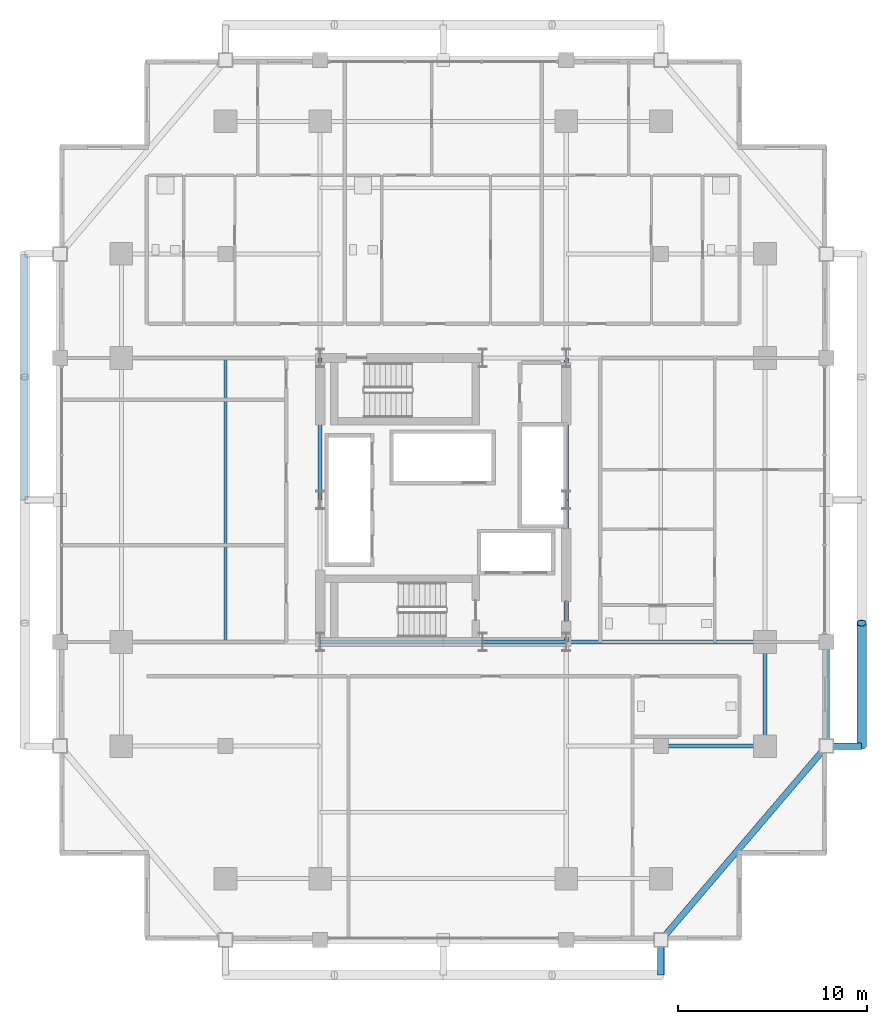
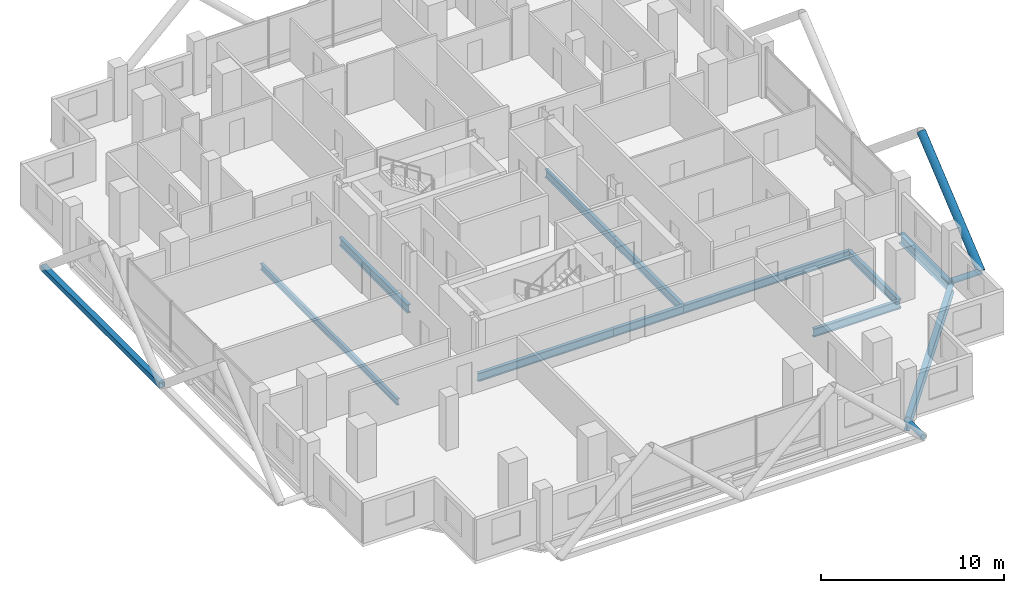
# One storey, part 8 of 24: 11 beams, 4 members.
"""IFC4 building model written with IfcOpenShell, lengths in metres."""

from ifc_helpers import new_model, si_unit, direction, frame, origin, origin_2d, place, context, subcontext, project, spatial, hollow_rectangle, hollow_circle, i_section, extrude, material, material_profile, profile_set, type_object, element, save


model = new_model("IFC4")

# Units and contexts
model_context = context("Model", 3, precision=1e-05, world=origin(), true_north=direction((0.0, 1.0)))
body_context = subcontext(model_context, "Body", "Model", "MODEL_VIEW")
ifc_project = project(units=[si_unit("LENGTHUNIT", "METRE"), si_unit("AREAUNIT", "SQUARE_METRE"), si_unit("VOLUMEUNIT", "CUBIC_METRE"), si_unit("PLANEANGLEUNIT", "RADIAN"), si_unit("MASSUNIT", "GRAM", prefix="KILO")], contexts=[model_context])

# Site, building, storey
site_placement = place(None, origin())
site = spatial("IfcSite", under=ifc_project, at=site_placement, CompositionType="ELEMENT")
building_placement = place(site_placement, origin())
building = spatial("IfcBuilding", under=site, at=building_placement, Name="Barlavira Tower and Art Museum", CompositionType="ELEMENT")
storey_placement = place(building_placement, frame((0.0, 0.0, 109.800048828125)))
storey = spatial("IfcBuildingStorey", under=building, at=storey_placement, Name="L27", CompositionType="ELEMENT", Elevation=109.800048828125)

# Members
ifc_material = material(Name="Steel S355", Category="steel")
ifc_material_profile_1 = material_profile(ifc_material, hollow_circle(Radius=0.25390625, WallThickness=0.022216796875, at=origin_2d()), Name="CHS 508.0x22.2")
ifc_profile_set_1 = profile_set([ifc_material_profile_1], Name="Steel S355")
member_type_1 = type_object("IfcMemberType", Name="Pale-Metal Exoskeleton Diagrid Tube CHS 508x22 Steel S355", PredefinedType="BRACE", material=ifc_profile_set_1)
member_1_placement = place(storey_placement, frame((22.10009765625, -13.0, -0.1201171875), z_axis=(0.0, 0.76918185268, 0.639029950399), x_axis=(-1.0, 0.0, 0.0)))
element("IfcMember", 1, at=member_1_placement, inside=storey, type_object=member_type_1, Name="L27 Exoskeleton Diagrid Tube E", PredefinedType="BRACE", context=body_context, shape_type="SweptSolid", body=[
    extrude(hollow_circle(Radius=0.25390625, WallThickness=0.022216796875, at=origin_2d()), origin(), (0.0, 0.0, 1.0), 8.450439453125),
])
ifc_material_profile_2 = material_profile(ifc_material, hollow_rectangle(XDim=0.35009765625, YDim=0.35009765625, WallThickness=0.02001953125, at=origin_2d()), Name="SHS 350x350x20.0")
ifc_profile_set_2 = profile_set([ifc_material_profile_2], Name="Steel S355")
member_type_2 = type_object("IfcMemberType", Name="Pale-Metal Exoskeleton Ring Strut SHS 350x350x20 Steel S355", PredefinedType="STRUT", material=ifc_profile_set_2)
member_2_placement = place(storey_placement, frame((-22.10009765625, 0.0, -0.1201171875), z_axis=(0.0, 1.0, 0.0), x_axis=(-1.0, 0.0, 0.0)))
element("IfcMember", 2, at=member_2_placement, inside=storey, type_object=member_type_2, Name="L27 Exoskeleton Ring Strut W", PredefinedType="STRUT", context=body_context, shape_type="SweptSolid", body=[
    extrude(hollow_rectangle(XDim=0.35009765625, YDim=0.35009765625, WallThickness=0.02001953125, at=origin_2d()), origin(), (0.0, 0.0, 1.0), 13.0),
])
ifc_material_profile_3 = material_profile(ifc_material, hollow_circle(Radius=0.177734375, WallThickness=0.01611328125, at=origin_2d()), Name="CHS 355.6x16.0")
ifc_profile_set_3 = profile_set([ifc_material_profile_3], Name="Steel S355")
member_type_3 = type_object("IfcMemberType", Name="Pale-Metal Exoskeleton Tie Strut CHS 356x16 Steel S355", PredefinedType="STRUT", material=ifc_profile_set_3)
for number, where, z_axis, x_axis, name in (
    (3, (11.5, -25.10009765625, -0.1201171875), (0.0, 1.0, 0.0), (-1.0, 0.0, 0.0), "L27 Exoskeleton Tie Strut S3"),
    (4, (22.10009765625, -13.0, -0.1201171875), (-1.0, 0.0, 0.0), (0.0, -1.0, 0.0), "L27 Exoskeleton Tie Strut E1"),
):
    element("IfcMember", number, at=place(storey_placement, frame(where, z_axis=z_axis, x_axis=x_axis)), inside=storey, type_object=member_type_3, Name=name, PredefinedType="STRUT", context=body_context, shape_type="SweptSolid", body=[
        extrude(hollow_circle(Radius=0.177734375, WallThickness=0.01611328125, at=origin_2d()), origin(), (0.0, 0.0, 1.0), 1.85009765625),
    ])

# Beams
ifc_material_profile_4 = material_profile(ifc_material, i_section(OverallWidth=0.327880859375, OverallDepth=0.62890625, WebThickness=0.013916015625, FlangeThickness=0.021484375, at=origin_2d()), Name="W610x174.0")
ifc_profile_set_4 = profile_set([ifc_material_profile_4], Name="Steel S355")
beam_type_1 = type_object("IfcBeamType", Name="Perimeter Spandrel Edge Beam W610x174 Steel S355", PredefinedType="SPANDREL", material=ifc_profile_set_4)
beam_1_placement = place(storey_placement, frame((11.5, -23.25, -0.53466796875), z_axis=(0.649262379928, 0.760564502202, 0.0), x_axis=(-0.760564502202, 0.649262379928, 0.0)))
element("IfcBeam", 5, at=beam_1_placement, inside=storey, type_object=beam_type_1, Name="L27 Spandrel 4", PredefinedType="SPANDREL", context=body_context, shape_type="SweptSolid", body=[
    extrude(i_section(OverallWidth=0.327880859375, OverallDepth=0.62890625, WebThickness=0.013916015625, FlangeThickness=0.021484375, at=origin_2d()), origin(), (0.0, 0.0, 1.0), 13.476806640625),
])
beam_2_placement = place(storey_placement, frame((20.25, -13.0, -0.53466796875), z_axis=(0.0, 1.0, 0.0), x_axis=(-1.0, 0.0, 0.0)))
element("IfcBeam", 6, at=beam_2_placement, inside=storey, type_object=beam_type_1, Name="L27 Spandrel 5", PredefinedType="SPANDREL", context=body_context, shape_type="SweptSolid", body=[
    extrude(i_section(OverallWidth=0.327880859375, OverallDepth=0.62890625, WebThickness=0.013916015625, FlangeThickness=0.021484375, at=origin_2d()), origin(), (0.0, 0.0, 1.0), 5.5),
])
ifc_material_profile_5 = material_profile(ifc_material, i_section(OverallWidth=0.214111328125, OverallDepth=0.549072265625, WebThickness=0.0146484375, FlangeThickness=0.023681640625, at=origin_2d()), Name="W530x138.0")
ifc_profile_set_5 = profile_set([ifc_material_profile_5], Name="Steel S355")
beam_type_2 = type_object("IfcBeamType", Name="Zone 1 Primary Floor Girder W530x138 Steel S355", PredefinedType="BEAM", material=ifc_profile_set_5)
beam_3_placement = place(storey_placement, frame((-6.5, -7.5, -0.49462890625), z_axis=(1.0, 0.0, 0.0), x_axis=(0.0, 1.0, 0.0)))
element("IfcBeam", 7, at=beam_3_placement, inside=storey, type_object=beam_type_2, Name="L27 Girder C-S1", PredefinedType="BEAM", context=body_context, shape_type="SweptSolid", body=[
    extrude(i_section(OverallWidth=0.214111328125, OverallDepth=0.549072265625, WebThickness=0.0146484375, FlangeThickness=0.023681640625, at=origin_2d()), origin(), (0.0, 0.0, 1.0), 8.580078125),
])
beam_4_placement = place(storey_placement, frame((2.080078125, -7.5, -0.49462890625), z_axis=(1.0, 0.0, 0.0), x_axis=(0.0, 1.0, 0.0)))
element("IfcBeam", 8, at=beam_4_placement, inside=storey, type_object=beam_type_2, Name="L27 Girder C-S2", PredefinedType="BEAM", context=body_context, shape_type="SweptSolid", body=[
    extrude(i_section(OverallWidth=0.214111328125, OverallDepth=0.549072265625, WebThickness=0.0146484375, FlangeThickness=0.023681640625, at=origin_2d()), origin(), (0.0, 0.0, 1.0), 4.419921875),
])
for number, where, z_axis, x_axis, name in (
    (9, (-6.5, 0.0, -0.49462890625), (0.0, 1.0, 0.0), (-1.0, 0.0, 0.0), "L27 Girder C-W2"),
    (10, (6.5, -7.5, -0.49462890625), (0.0, 1.0, 0.0), (-1.0, 0.0, 0.0), "L27 Girder C-E1"),
    (11, (6.5, 0.0, -0.49462890625), (0.0, 1.0, 0.0), (-1.0, 0.0, 0.0), "L27 Girder C-E2"),
):
    element("IfcBeam", number, at=place(storey_placement, frame(where, z_axis=z_axis, x_axis=x_axis)), inside=storey, type_object=beam_type_2, Name=name, PredefinedType="BEAM", context=body_context, shape_type="SweptSolid", body=[
        extrude(i_section(OverallWidth=0.214111328125, OverallDepth=0.549072265625, WebThickness=0.0146484375, FlangeThickness=0.023681640625, at=origin_2d()), origin(), (0.0, 0.0, 1.0), 7.5),
    ])
beam_5_placement = place(storey_placement, frame((17.0, -13.0, -0.49462890625), z_axis=(0.0, 1.0, 0.0), x_axis=(-1.0, 0.0, 0.0)))
element("IfcBeam", 12, at=beam_5_placement, inside=storey, type_object=beam_type_2, Name="L27 Girder M-E1", PredefinedType="BEAM", context=body_context, shape_type="SweptSolid", body=[
    extrude(i_section(OverallWidth=0.214111328125, OverallDepth=0.549072265625, WebThickness=0.0146484375, FlangeThickness=0.023681640625, at=origin_2d()), origin(), (0.0, 0.0, 1.0), 5.5),
])
beam_6_placement = place(storey_placement, frame((6.5, -7.5, -0.49462890625), z_axis=(1.0, 0.0, 0.0), x_axis=(0.0, 1.0, 0.0)))
element("IfcBeam", 13, at=beam_6_placement, inside=storey, type_object=beam_type_2, Name="L27 Girder R-E1", PredefinedType="BEAM", context=body_context, shape_type="SweptSolid", body=[
    extrude(i_section(OverallWidth=0.214111328125, OverallDepth=0.549072265625, WebThickness=0.0146484375, FlangeThickness=0.023681640625, at=origin_2d()), origin(), (0.0, 0.0, 1.0), 10.5),
])
beam_7_placement = place(storey_placement, frame((11.5, -13.0, -0.49462890625), z_axis=(1.0, 0.0, 0.0), x_axis=(0.0, 1.0, 0.0)))
element("IfcBeam", 14, at=beam_7_placement, inside=storey, type_object=beam_type_2, Name="L27 Girder I-S4", PredefinedType="BEAM", context=body_context, shape_type="SweptSolid", body=[
    extrude(i_section(OverallWidth=0.214111328125, OverallDepth=0.549072265625, WebThickness=0.0146484375, FlangeThickness=0.023681640625, at=origin_2d()), origin(), (0.0, 0.0, 1.0), 5.5),
])
ifc_material_profile_6 = material_profile(ifc_material, i_section(OverallWidth=0.179931640625, OverallDepth=0.4130859375, WebThickness=0.009765625, FlangeThickness=0.01611328125, at=origin_2d()), Name="W410x75.0")
ifc_profile_set_6 = profile_set([ifc_material_profile_6], Name="Steel S355")
beam_type_3 = type_object("IfcBeamType", Name="Zone 2 Composite Floor Joist W410x75 Steel S355", PredefinedType="JOIST", material=ifc_profile_set_6)
beam_8_placement = place(storey_placement, frame((-11.5, -7.5, -0.426513671875), z_axis=(0.0, 1.0, 0.0), x_axis=(-1.0, 0.0, 0.0)))
element("IfcBeam", 15, at=beam_8_placement, inside=storey, type_object=beam_type_3, Name="L27 Joist W1", PredefinedType="JOIST", context=body_context, shape_type="SweptSolid", body=[
    extrude(i_section(OverallWidth=0.179931640625, OverallDepth=0.4130859375, WebThickness=0.009765625, FlangeThickness=0.01611328125, at=origin_2d()), origin(), (0.0, 0.0, 1.0), 15.0),
])

save(model, "model.ifc")
